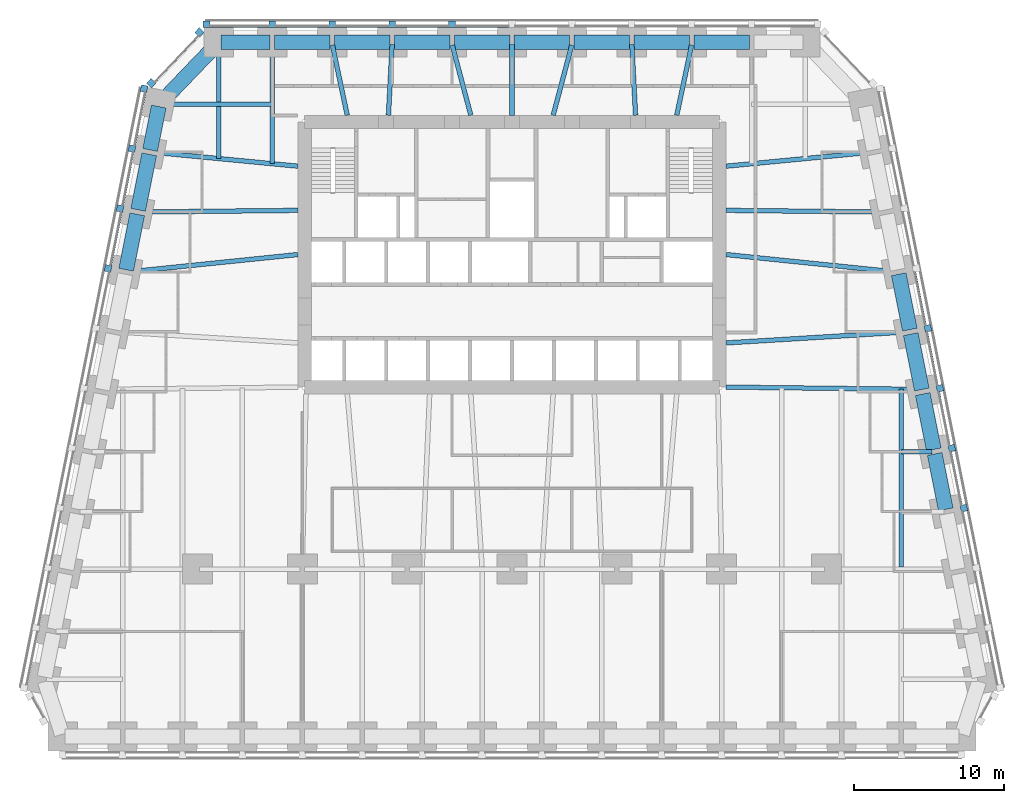
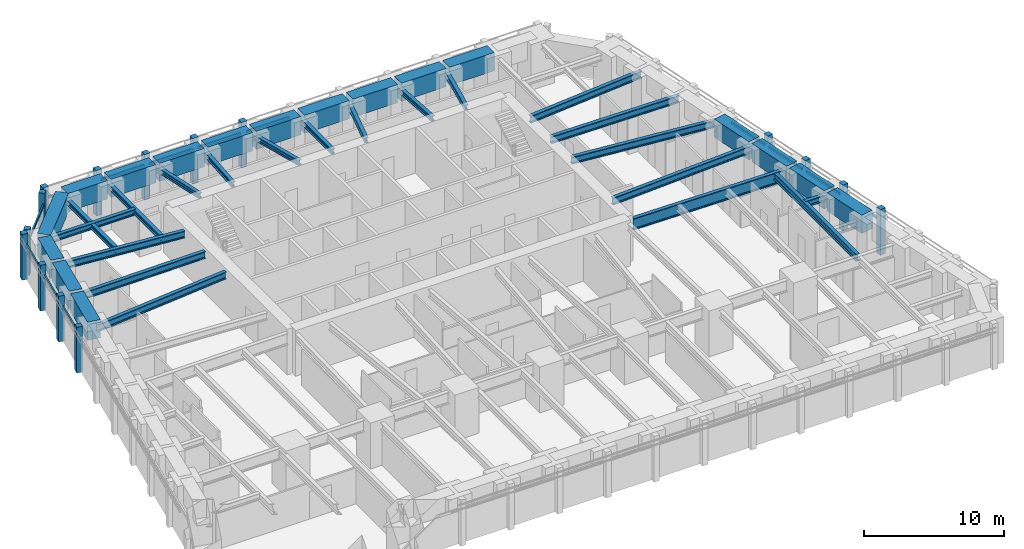
# One storey, part 3 of 10: 37 beams, 28 members, 4 elements without a shape of their own.
"""IFC4 building model written with IfcOpenShell, lengths in metres."""

from ifc_helpers import new_model, si_unit, direction, frame, origin, origin_2d, place, context, subcontext, project, spatial, rectangle, i_section, extrude, material, material_profile, profile_set, type_object, element, aggregate, save


model = new_model("IFC4")

# Units and contexts
model_context = context("Model", 3, precision=1e-05, world=origin(), true_north=direction((0.0, 1.0)))
body_context = subcontext(model_context, "Body", "Model", "MODEL_VIEW")
ifc_project = project(units=[si_unit("LENGTHUNIT", "METRE"), si_unit("AREAUNIT", "SQUARE_METRE"), si_unit("VOLUMEUNIT", "CUBIC_METRE"), si_unit("PLANEANGLEUNIT", "RADIAN"), si_unit("MASSUNIT", "GRAM", prefix="KILO")], contexts=[model_context])

# Site, building, storey
site_placement = place(None, origin())
site = spatial("IfcSite", under=ifc_project, at=site_placement, CompositionType="ELEMENT")
building_placement = place(site_placement, origin())
building = spatial("IfcBuilding", under=site, at=building_placement, Name="Isbrekke Arena Tower", CompositionType="ELEMENT")
storey_placement = place(building_placement, frame((0.0, 0.0, 88.0)))
storey = spatial("IfcBuildingStorey", under=building, at=storey_placement, Name="L19", CompositionType="ELEMENT", Elevation=88.0)

# Beams
ifc_material_1 = material(Name="Steel S355", Category="steel")
ifc_material_profile_1 = material_profile(ifc_material_1, i_section(OverallWidth=0.304931640625, OverallDepth=0.6201171875, WebThickness=0.02099609375, FlangeThickness=0.0400390625, FilletRadius=0.027099609375, at=origin_2d()), Name="HEM 600")
ifc_profile_set_1 = profile_set([ifc_material_profile_1], Name="Steel S355")
beam_type_1 = type_object("IfcBeamType", Name="B4 HEM 600", PredefinedType="BEAM", material=ifc_profile_set_1)
beam_1_placement = place(storey_placement, frame((26.0, -5.84912109375, 3.43994140625), z_axis=(0.0, 1.0, 0.0), x_axis=(-1.0, 0.0, 0.0)))
element("IfcBeam", 1, at=beam_1_placement, inside=storey, type_object=beam_type_1, Name="B4 beam C-M14 L19", PredefinedType="BEAM", context=body_context, shape_type="SweptSolid", body=[
    extrude(i_section(OverallWidth=0.304931640625, OverallDepth=0.6201171875, WebThickness=0.02099609375, FlangeThickness=0.0400390625, FilletRadius=0.027099609375, at=origin_2d()), origin(), (0.0, 0.0, 1.0), 11.864990234375),
])
beam_2_placement = place(storey_placement, frame((26.431884765625, 9.837646484375, 3.43994140625), z_axis=(-0.998157121592, -0.060682457223, 0.0), x_axis=(0.060682457223, -0.998157121592, 0.0)))
element("IfcBeam", 2, at=beam_2_placement, inside=storey, type_object=beam_type_1, Name="B4 beam E-E07 L19", PredefinedType="BEAM", context=body_context, shape_type="SweptSolid", body=[
    extrude(i_section(OverallWidth=0.304931640625, OverallDepth=0.6201171875, WebThickness=0.02099609375, FlangeThickness=0.0400390625, FilletRadius=0.027099609375, at=origin_2d()), origin(), (0.0, 0.0, 1.0), 12.154296875),
])
beam_3_placement = place(storey_placement, frame((25.62548828125, 13.83984375, 3.43994140625), z_axis=(-0.99479415533, 0.10190480127, 0.0), x_axis=(-0.10190480127, -0.99479415533, 0.0)))
element("IfcBeam", 3, at=beam_3_placement, inside=storey, type_object=beam_type_1, Name="B4 beam E-E08 L19", PredefinedType="BEAM", context=body_context, shape_type="SweptSolid", body=[
    extrude(i_section(OverallWidth=0.304931640625, OverallDepth=0.6201171875, WebThickness=0.02099609375, FlangeThickness=0.0400390625, FilletRadius=0.027099609375, at=origin_2d()), origin(), (0.0, 0.0, 1.0), 11.384765625),
])
beam_4_placement = place(storey_placement, frame((24.83935546875, 17.838134765625, 3.43994140625), z_axis=(-0.999943724376, 0.010608868071, 0.0), x_axis=(-0.010608868071, -0.999943724376, 0.0)))
element("IfcBeam", 4, at=beam_4_placement, inside=storey, type_object=beam_type_1, Name="B4 beam E-E09 L19", PredefinedType="BEAM", context=body_context, shape_type="SweptSolid", body=[
    extrude(i_section(OverallWidth=0.304931640625, OverallDepth=0.6201171875, WebThickness=0.02099609375, FlangeThickness=0.0400390625, FilletRadius=0.027099609375, at=origin_2d()), origin(), (0.0, 0.0, 1.0), 10.539794921875),
])
for number, where, z_axis, x_axis, name in (
    (5, (24.0263671875, 21.8369140625, 3.43994140625), (-0.995391571349, -0.095893793791, 0.0), (0.095893793791, -0.995391571349, 0.0), "B4 beam E-E10 L19"),
    (6, (-24.0263671875, 21.8369140625, 3.43994140625), (0.995391571349, -0.095893793791, 0.0), (0.095893793791, 0.995391571349, 0.0), "B4 beam E-W02 L19"),
):
    element("IfcBeam", number, at=place(storey_placement, frame(where, z_axis=z_axis, x_axis=x_axis)), inside=storey, type_object=beam_type_1, Name=name, PredefinedType="BEAM", context=body_context, shape_type="SweptSolid", body=[
        extrude(i_section(OverallWidth=0.304931640625, OverallDepth=0.6201171875, WebThickness=0.02099609375, FlangeThickness=0.0400390625, FilletRadius=0.027099609375, at=origin_2d()), origin(), (0.0, 0.0, 1.0), 9.771240234375),
    ])
beam_5_placement = place(storey_placement, frame((-24.83935546875, 17.838134765625, 3.43994140625), z_axis=(0.999943724376, 0.010608868071, 0.0), x_axis=(-0.010608868071, 0.999943724376, 0.0)))
element("IfcBeam", 7, at=beam_5_placement, inside=storey, type_object=beam_type_1, Name="B4 beam E-W03 L19", PredefinedType="BEAM", context=body_context, shape_type="SweptSolid", body=[
    extrude(i_section(OverallWidth=0.304931640625, OverallDepth=0.6201171875, WebThickness=0.02099609375, FlangeThickness=0.0400390625, FilletRadius=0.027099609375, at=origin_2d()), origin(), (0.0, 0.0, 1.0), 10.539794921875),
])
beam_6_placement = place(storey_placement, frame((-25.62548828125, 13.83984375, 3.43994140625), z_axis=(0.99479415533, 0.10190480127, 0.0), x_axis=(-0.10190480127, 0.99479415533, 0.0)))
element("IfcBeam", 8, at=beam_6_placement, inside=storey, type_object=beam_type_1, Name="B4 beam E-W04 L19", PredefinedType="BEAM", context=body_context, shape_type="SweptSolid", body=[
    extrude(i_section(OverallWidth=0.304931640625, OverallDepth=0.6201171875, WebThickness=0.02099609375, FlangeThickness=0.0400390625, FilletRadius=0.027099609375, at=origin_2d()), origin(), (0.0, 0.0, 1.0), 11.384765625),
])
ifc_material_2 = material(Name="Steel S355", Category="steel")
ifc_material_profile_2 = material_profile(ifc_material_2, i_section(OverallWidth=0.305908203125, OverallDepth=0.52392578125, WebThickness=0.02099609375, FlangeThickness=0.0400390625, FilletRadius=0.027099609375, at=origin_2d()), Name="HEM 500")
ifc_profile_set_2 = profile_set([ifc_material_profile_2], Name="Steel S355")
beam_type_2 = type_object("IfcBeamType", Name="B5 HEM 500", PredefinedType="BEAM", material=ifc_profile_set_2)
beam_7_placement = place(storey_placement, frame((28.041015625, 1.838134765625, 3.488037109375), z_axis=(-1.0, 0.0, 0.0), x_axis=(0.0, -1.0, 0.0)))
element("IfcBeam", 9, at=beam_7_placement, inside=storey, type_object=beam_type_2, Name="B5 beam E-E05 L19", PredefinedType="BEAM", context=body_context, shape_type="SweptSolid", body=[
    extrude(i_section(OverallWidth=0.305908203125, OverallDepth=0.52392578125, WebThickness=0.02099609375, FlangeThickness=0.0400390625, FilletRadius=0.027099609375, at=origin_2d()), origin(), (0.0, 0.0, 1.0), 2.041015625),
])
beam_8_placement = place(storey_placement, frame((-23.40283203125, 25.029296875, 3.488037109375), z_axis=(1.0, 0.0, 0.0), x_axis=(0.0, 1.0, 0.0)))
element("IfcBeam", 10, at=beam_8_placement, inside=storey, type_object=beam_type_2, Name="B5 beam E-W01 L19", PredefinedType="BEAM", context=body_context, shape_type="SweptSolid", body=[
    extrude(i_section(OverallWidth=0.305908203125, OverallDepth=0.52392578125, WebThickness=0.02099609375, FlangeThickness=0.0400390625, FilletRadius=0.027099609375, at=origin_2d()), origin(), (0.0, 0.0, 1.0), 7.40283203125),
])
ifc_material_3 = material(Name="Steel S355", Category="steel")
ifc_material_profile_3 = material_profile(ifc_material_3, i_section(OverallWidth=0.306884765625, OverallDepth=0.431884765625, WebThickness=0.02099609375, FlangeThickness=0.0400390625, FilletRadius=0.027099609375, at=origin_2d()), Name="HEM 400")
ifc_profile_set_3 = profile_set([ifc_material_profile_3], Name="Steel S355")
beam_type_3 = type_object("IfcBeamType", Name="B6 HEM 400", PredefinedType="BEAM", material=ifc_profile_set_3)
beam_9_placement = place(storey_placement, frame((-16.0, 29.02490234375, 3.533935546875), z_axis=(0.0, -1.0, 0.0), x_axis=(1.0, 0.0, 0.0)))
element("IfcBeam", 11, at=beam_9_placement, inside=storey, type_object=beam_type_3, Name="B6 beam N-N10 L19", PredefinedType="BEAM", context=body_context, shape_type="SweptSolid", body=[
    extrude(i_section(OverallWidth=0.306884765625, OverallDepth=0.431884765625, WebThickness=0.02099609375, FlangeThickness=0.0400390625, FilletRadius=0.027099609375, at=origin_2d()), origin(), (0.0, 0.0, 1.0), 7.961181640625),
])
beam_10_placement = place(storey_placement, frame((-19.574951171875, 29.02490234375, 3.533935546875), z_axis=(0.0, -1.0, 0.0), x_axis=(1.0, 0.0, 0.0)))
element("IfcBeam", 12, at=beam_10_placement, inside=storey, type_object=beam_type_3, Name="B6 beam N-N11 L19", PredefinedType="BEAM", context=body_context, shape_type="SweptSolid", body=[
    extrude(i_section(OverallWidth=0.306884765625, OverallDepth=0.431884765625, WebThickness=0.02099609375, FlangeThickness=0.0400390625, FilletRadius=0.027099609375, at=origin_2d()), origin(), (0.0, 0.0, 1.0), 7.616943359375),
])
beam_11_placement = place(storey_placement, frame((11.993408203125, 28.993896484375, 3.533935546875), z_axis=(-0.207054129185, -0.978329488254, 0.0), x_axis=(0.978329488254, -0.207054129185, 0.0)))
element("IfcBeam", 13, at=beam_11_placement, inside=storey, type_object=beam_type_3, Name="B6 beam N-N03 L19", PredefinedType="BEAM", context=body_context, shape_type="SweptSolid", body=[
    extrude(i_section(OverallWidth=0.306884765625, OverallDepth=0.431884765625, WebThickness=0.02099609375, FlangeThickness=0.0400390625, FilletRadius=0.027099609375, at=origin_2d()), origin(), (0.0, 0.0, 1.0), 4.7978515625),
])
beam_12_placement = place(storey_placement, frame((8.00048828125, 29.016845703125, 3.533935546875), z_axis=(0.05282469383, -0.998603801175, 0.0), x_axis=(0.998603801175, 0.05282469383, 0.0)))
element("IfcBeam", 14, at=beam_12_placement, inside=storey, type_object=beam_type_3, Name="B6 beam N-N04 L19", PredefinedType="BEAM", context=body_context, shape_type="SweptSolid", body=[
    extrude(i_section(OverallWidth=0.306884765625, OverallDepth=0.431884765625, WebThickness=0.02099609375, FlangeThickness=0.0400390625, FilletRadius=0.027099609375, at=origin_2d()), origin(), (0.0, 0.0, 1.0), 4.723388671875),
])
beam_13_placement = place(storey_placement, frame((3.989990234375, 28.987060546875, 3.533935546875), z_axis=(-0.255759685638, -0.966740390799, 0.0), x_axis=(0.966740390799, -0.255759685638, 0.0)))
element("IfcBeam", 15, at=beam_13_placement, inside=storey, type_object=beam_type_3, Name="B6 beam N-N05 L19", PredefinedType="BEAM", context=body_context, shape_type="SweptSolid", body=[
    extrude(i_section(OverallWidth=0.306884765625, OverallDepth=0.431884765625, WebThickness=0.02099609375, FlangeThickness=0.0400390625, FilletRadius=0.027099609375, at=origin_2d()), origin(), (0.0, 0.0, 1.0), 4.84814453125),
])
beam_14_placement = place(storey_placement, frame((0.0, 29.02490234375, 3.533935546875), z_axis=(0.0, -1.0, 0.0), x_axis=(1.0, 0.0, 0.0)))
element("IfcBeam", 16, at=beam_14_placement, inside=storey, type_object=beam_type_3, Name="B6 beam N-N06 L19", PredefinedType="BEAM", context=body_context, shape_type="SweptSolid", body=[
    extrude(i_section(OverallWidth=0.306884765625, OverallDepth=0.431884765625, WebThickness=0.02099609375, FlangeThickness=0.0400390625, FilletRadius=0.027099609375, at=origin_2d()), origin(), (0.0, 0.0, 1.0), 4.724853515625),
])
beam_15_placement = place(storey_placement, frame((-3.989990234375, 28.987060546875, 3.533935546875), z_axis=(0.255759685638, -0.966740390799, 0.0), x_axis=(0.966740390799, 0.255759685638, 0.0)))
element("IfcBeam", 17, at=beam_15_placement, inside=storey, type_object=beam_type_3, Name="B6 beam N-N07 L19", PredefinedType="BEAM", context=body_context, shape_type="SweptSolid", body=[
    extrude(i_section(OverallWidth=0.306884765625, OverallDepth=0.431884765625, WebThickness=0.02099609375, FlangeThickness=0.0400390625, FilletRadius=0.027099609375, at=origin_2d()), origin(), (0.0, 0.0, 1.0), 4.84814453125),
])
beam_16_placement = place(storey_placement, frame((-8.00048828125, 29.016845703125, 3.533935546875), z_axis=(-0.05282469383, -0.998603801175, 0.0), x_axis=(0.998603801175, -0.05282469383, 0.0)))
element("IfcBeam", 18, at=beam_16_placement, inside=storey, type_object=beam_type_3, Name="B6 beam N-N08 L19", PredefinedType="BEAM", context=body_context, shape_type="SweptSolid", body=[
    extrude(i_section(OverallWidth=0.306884765625, OverallDepth=0.431884765625, WebThickness=0.02099609375, FlangeThickness=0.0400390625, FilletRadius=0.027099609375, at=origin_2d()), origin(), (0.0, 0.0, 1.0), 4.723388671875),
])
beam_17_placement = place(storey_placement, frame((-11.993408203125, 28.993896484375, 3.533935546875), z_axis=(0.207054129185, -0.978329488254, 0.0), x_axis=(0.978329488254, 0.207054129185, 0.0)))
element("IfcBeam", 19, at=beam_17_placement, inside=storey, type_object=beam_type_3, Name="B6 beam N-N09 L19", PredefinedType="BEAM", context=body_context, shape_type="SweptSolid", body=[
    extrude(i_section(OverallWidth=0.306884765625, OverallDepth=0.431884765625, WebThickness=0.02099609375, FlangeThickness=0.0400390625, FilletRadius=0.027099609375, at=origin_2d()), origin(), (0.0, 0.0, 1.0), 4.7978515625),
])

# Curtain wall, members
ifc_material_4 = material(Name="Glazed aluminium curtain wall", Category="aluminium")
curtain_wall_type = type_object("IfcCurtainWallType", Name="CWL TOWER CURTAIN WALL LOW ZONE", PredefinedType="USERDEFINED", material=ifc_material_4)
curtain_wall_1_placement = place(storey_placement, origin())
curtain_wall_1 = element("IfcCurtainWall", 20, at=curtain_wall_1_placement, inside=storey, type_object=curtain_wall_type, Name="CWL curtain wall L19-E", ObjectType="TOWER CURTAIN WALL LOW ZONE", PredefinedType="USERDEFINED")
ifc_material_5 = material(Name="Aluminium mullion, pale brick slip cladding", Category="masonry")
ifc_material_profile_4 = material_profile(ifc_material_5, rectangle(XDim=0.449951171875, YDim=0.449951171875, at=origin_2d()), Name="PIER 450X450")
ifc_profile_set_4 = profile_set([ifc_material_profile_4], Name="Aluminium mullion, pale brick slip cladding")
member_type_1 = type_object("IfcMemberType", Name="CWL-M PIER MULLION 450 x 450", PredefinedType="MULLION", material=ifc_profile_set_4)
member_1_placement = place(storey_placement, frame((30.167724609375, -1.926513671875, 0.0), z_axis=(0.0, 0.0, 1.0), x_axis=(-0.196116135138, 0.980580675691, 0.0)))
member_1 = element("IfcMember", 21, at=member_1_placement, type_object=member_type_1, Name="CWL-M mullion 4", PredefinedType="MULLION", context=body_context, shape_type="SweptSolid", body=[
    extrude(rectangle(XDim=0.449951171875, YDim=0.449951171875, at=origin_2d()), origin(), (0.0, 0.0, 1.0), 4.0),
])
member_2_placement = place(storey_placement, frame((29.36767578125, 2.073486328125, 0.0), z_axis=(0.0, 0.0, 1.0), x_axis=(-0.196116135138, 0.980580675691, 0.0)))
member_2 = element("IfcMember", 22, at=member_2_placement, type_object=member_type_1, Name="CWL-M mullion 5", PredefinedType="MULLION", context=body_context, shape_type="SweptSolid", body=[
    extrude(rectangle(XDim=0.449951171875, YDim=0.449951171875, at=origin_2d()), origin(), (0.0, 0.0, 1.0), 4.0),
])
member_3_placement = place(storey_placement, frame((28.567626953125, 6.073486328125, 0.0), z_axis=(0.0, 0.0, 1.0), x_axis=(-0.196116135138, 0.980580675691, 0.0)))
member_3 = element("IfcMember", 23, at=member_3_placement, type_object=member_type_1, Name="CWL-M mullion 6", PredefinedType="MULLION", context=body_context, shape_type="SweptSolid", body=[
    extrude(rectangle(XDim=0.449951171875, YDim=0.449951171875, at=origin_2d()), origin(), (0.0, 0.0, 1.0), 4.0),
])
member_4_placement = place(storey_placement, frame((27.767822265625, 10.073486328125, 0.0), z_axis=(0.0, 0.0, 1.0), x_axis=(-0.196116135138, 0.980580675691, 0.0)))
member_4 = element("IfcMember", 24, at=member_4_placement, type_object=member_type_1, Name="CWL-M mullion 7", PredefinedType="MULLION", context=body_context, shape_type="SweptSolid", body=[
    extrude(rectangle(XDim=0.449951171875, YDim=0.449951171875, at=origin_2d()), origin(), (0.0, 0.0, 1.0), 4.0),
])

curtain_wall_2_placement = place(storey_placement, origin())
curtain_wall_2 = element("IfcCurtainWall", 25, at=curtain_wall_2_placement, inside=storey, type_object=curtain_wall_type, Name="CWL curtain wall L19-N", ObjectType="TOWER CURTAIN WALL LOW ZONE", PredefinedType="USERDEFINED")
member_5_placement = place(storey_placement, frame((-4.0, 30.375, 0.0), z_axis=(0.0, 0.0, 1.0), x_axis=(-1.0, 0.0, 0.0)))
member_5 = element("IfcMember", 26, at=member_5_placement, type_object=member_type_1, Name="CWL-M mullion 7", PredefinedType="MULLION", context=body_context, shape_type="SweptSolid", body=[
    extrude(rectangle(XDim=0.449951171875, YDim=0.449951171875, at=origin_2d()), origin(), (0.0, 0.0, 1.0), 4.0),
])
member_6_placement = place(storey_placement, frame((-8.0, 30.375, 0.0), z_axis=(0.0, 0.0, 1.0), x_axis=(-1.0, 0.0, 0.0)))
member_6 = element("IfcMember", 27, at=member_6_placement, type_object=member_type_1, Name="CWL-M mullion 8", PredefinedType="MULLION", context=body_context, shape_type="SweptSolid", body=[
    extrude(rectangle(XDim=0.449951171875, YDim=0.449951171875, at=origin_2d()), origin(), (0.0, 0.0, 1.0), 4.0),
])
member_7_placement = place(storey_placement, frame((-12.0, 30.375, 0.0), z_axis=(0.0, 0.0, 1.0), x_axis=(-1.0, 0.0, 0.0)))
member_7 = element("IfcMember", 28, at=member_7_placement, type_object=member_type_1, Name="CWL-M mullion 9", PredefinedType="MULLION", context=body_context, shape_type="SweptSolid", body=[
    extrude(rectangle(XDim=0.449951171875, YDim=0.449951171875, at=origin_2d()), origin(), (0.0, 0.0, 1.0), 4.0),
])
member_8_placement = place(storey_placement, frame((-16.0, 30.375, 0.0), z_axis=(0.0, 0.0, 1.0), x_axis=(-1.0, 0.0, 0.0)))
member_8 = element("IfcMember", 29, at=member_8_placement, type_object=member_type_1, Name="CWL-M mullion 10", PredefinedType="MULLION", context=body_context, shape_type="SweptSolid", body=[
    extrude(rectangle(XDim=0.449951171875, YDim=0.449951171875, at=origin_2d()), origin(), (0.0, 0.0, 1.0), 4.0),
])
member_9_placement = place(storey_placement, frame((-20.39990234375, 30.375, 0.0), z_axis=(0.0, 0.0, 1.0), x_axis=(-1.0, 0.0, 0.0)))
member_9 = element("IfcMember", 30, at=member_9_placement, type_object=member_type_1, Name="CWL-M mullion 11", PredefinedType="MULLION", context=body_context, shape_type="SweptSolid", body=[
    extrude(rectangle(XDim=0.449951171875, YDim=0.449951171875, at=origin_2d()), origin(), (0.0, 0.0, 1.0), 4.0),
])

curtain_wall_3_placement = place(storey_placement, origin())
curtain_wall_3 = element("IfcCurtainWall", 31, at=curtain_wall_3_placement, inside=storey, type_object=curtain_wall_type, Name="CWL curtain wall L19-NW", ObjectType="TOWER CURTAIN WALL LOW ZONE", PredefinedType="USERDEFINED")
member_10_placement = place(storey_placement, frame((-20.86572265625, 29.83642578125, 0.0), z_axis=(0.0, 0.0, 1.0), x_axis=(-0.68874946192, -0.72499943359, 0.0)))
member_10 = element("IfcMember", 32, at=member_10_placement, type_object=member_type_1, Name="CWL-M mullion 1", PredefinedType="MULLION", context=body_context, shape_type="SweptSolid", body=[
    extrude(rectangle(XDim=0.449951171875, YDim=0.449951171875, at=origin_2d()), origin(), (0.0, 0.0, 1.0), 4.0),
])
member_11_placement = place(storey_placement, frame((-24.087890625, 26.44482421875, 0.0), z_axis=(0.0, 0.0, 1.0), x_axis=(-0.68874946192, -0.72499943359, 0.0)))
member_11 = element("IfcMember", 33, at=member_11_placement, type_object=member_type_1, Name="CWL-M mullion 2", PredefinedType="MULLION", context=body_context, shape_type="SweptSolid", body=[
    extrude(rectangle(XDim=0.449951171875, YDim=0.449951171875, at=origin_2d()), origin(), (0.0, 0.0, 1.0), 4.0),
])

curtain_wall_4_placement = place(storey_placement, origin())
curtain_wall_4 = element("IfcCurtainWall", 34, at=curtain_wall_4_placement, inside=storey, type_object=curtain_wall_type, Name="CWL curtain wall L19-W", ObjectType="TOWER CURTAIN WALL LOW ZONE", PredefinedType="USERDEFINED")
member_12_placement = place(storey_placement, frame((-24.567626953125, 26.073486328125, 0.0), z_axis=(0.0, 0.0, 1.0), x_axis=(-0.196116135138, -0.980580675691, 0.0)))
member_12 = element("IfcMember", 35, at=member_12_placement, type_object=member_type_1, Name="CWL-M mullion 1", PredefinedType="MULLION", context=body_context, shape_type="SweptSolid", body=[
    extrude(rectangle(XDim=0.449951171875, YDim=0.449951171875, at=origin_2d()), origin(), (0.0, 0.0, 1.0), 4.0),
])
member_13_placement = place(storey_placement, frame((-25.36767578125, 22.073486328125, 0.0), z_axis=(0.0, 0.0, 1.0), x_axis=(-0.196116135138, -0.980580675691, 0.0)))
member_13 = element("IfcMember", 36, at=member_13_placement, type_object=member_type_1, Name="CWL-M mullion 2", PredefinedType="MULLION", context=body_context, shape_type="SweptSolid", body=[
    extrude(rectangle(XDim=0.449951171875, YDim=0.449951171875, at=origin_2d()), origin(), (0.0, 0.0, 1.0), 4.0),
])
member_14_placement = place(storey_placement, frame((-26.167724609375, 18.073486328125, 0.0), z_axis=(0.0, 0.0, 1.0), x_axis=(-0.196116135138, -0.980580675691, 0.0)))
member_14 = element("IfcMember", 37, at=member_14_placement, type_object=member_type_1, Name="CWL-M mullion 3", PredefinedType="MULLION", context=body_context, shape_type="SweptSolid", body=[
    extrude(rectangle(XDim=0.449951171875, YDim=0.449951171875, at=origin_2d()), origin(), (0.0, 0.0, 1.0), 4.0),
])
member_15_placement = place(storey_placement, frame((-26.9677734375, 14.073486328125, 0.0), z_axis=(0.0, 0.0, 1.0), x_axis=(-0.196116135138, -0.980580675691, 0.0)))
member_15 = element("IfcMember", 38, at=member_15_placement, type_object=member_type_1, Name="CWL-M mullion 4", PredefinedType="MULLION", context=body_context, shape_type="SweptSolid", body=[
    extrude(rectangle(XDim=0.449951171875, YDim=0.449951171875, at=origin_2d()), origin(), (0.0, 0.0, 1.0), 4.0),
])

# Member
ifc_material_6 = material(Name="Aluminium transom", Category="aluminium")
ifc_material_profile_5 = material_profile(ifc_material_6, rectangle(XDim=0.1201171875, YDim=0.199951171875, at=origin_2d()), Name="TRANSOM 120X200")
ifc_profile_set_5 = profile_set([ifc_material_profile_5], Name="Aluminium transom")
member_type_2 = type_object("IfcMemberType", Name="CWL-T TRANSOM 120 x 200", PredefinedType="USERDEFINED", material=ifc_profile_set_5)
member_16_placement = place(storey_placement, frame((30.0009765625, -1.730224609375, 3.0), z_axis=(-0.196103197847, 0.98058326306, 0.0), x_axis=(-0.98058326306, -0.196103197847, 0.0)))
member_16 = element("IfcMember", 39, at=member_16_placement, type_object=member_type_2, Name="CWL-T transom 4", ObjectType="TRANSOM", PredefinedType="USERDEFINED", context=body_context, shape_type="SweptSolid", body=[
    extrude(rectangle(XDim=0.1201171875, YDim=0.199951171875, at=origin_2d()), origin(), (0.0, 0.0, 1.0), 3.629150390625),
])

member_17_placement = place(storey_placement, frame((29.200927734375, 2.269775390625, 3.0), z_axis=(-0.196103197847, 0.98058326306, 0.0), x_axis=(-0.98058326306, -0.196103197847, 0.0)))
member_17 = element("IfcMember", 40, at=member_17_placement, type_object=member_type_2, Name="CWL-T transom 5", ObjectType="TRANSOM", PredefinedType="USERDEFINED", context=body_context, shape_type="SweptSolid", body=[
    extrude(rectangle(XDim=0.1201171875, YDim=0.199951171875, at=origin_2d()), origin(), (0.0, 0.0, 1.0), 3.629150390625),
])

member_18_placement = place(storey_placement, frame((28.401123046875, 6.269775390625, 3.0), z_axis=(-0.196167883278, 0.980570324643, 0.0), x_axis=(-0.980570324643, -0.196167883278, 0.0)))
member_18 = element("IfcMember", 41, at=member_18_placement, type_object=member_type_2, Name="CWL-T transom 6", ObjectType="TRANSOM", PredefinedType="USERDEFINED", context=body_context, shape_type="SweptSolid", body=[
    extrude(rectangle(XDim=0.1201171875, YDim=0.199951171875, at=origin_2d()), origin(), (0.0, 0.0, 1.0), 3.629150390625),
])

member_19_placement = place(storey_placement, frame((27.60107421875, 10.269775390625, 3.0), z_axis=(-0.196167883278, 0.980570324643, 0.0), x_axis=(-0.980570324643, -0.196167883278, 0.0)))
member_19 = element("IfcMember", 42, at=member_19_placement, type_object=member_type_2, Name="CWL-T transom 7", ObjectType="TRANSOM", PredefinedType="USERDEFINED", context=body_context, shape_type="SweptSolid", body=[
    extrude(rectangle(XDim=0.1201171875, YDim=0.199951171875, at=origin_2d()), origin(), (0.0, 0.0, 1.0), 3.629150390625),
])

aggregate(curtain_wall_1, [member_1, member_2, member_3, member_4, member_16, member_17, member_18, member_19])

member_20_placement = place(storey_placement, frame((-0.22509765625, 30.25, 3.0), z_axis=(-1.0, 0.0, 0.0), x_axis=(0.0, -1.0, 0.0)))
member_20 = element("IfcMember", 43, at=member_20_placement, type_object=member_type_2, Name="CWL-T transom 6", ObjectType="TRANSOM", PredefinedType="USERDEFINED", context=body_context, shape_type="SweptSolid", body=[
    extrude(rectangle(XDim=0.1201171875, YDim=0.199951171875, at=origin_2d()), origin(), (0.0, 0.0, 1.0), 3.5498046875),
])

member_21_placement = place(storey_placement, frame((-4.22509765625, 30.25, 3.0), z_axis=(-1.0, 0.0, 0.0), x_axis=(0.0, -1.0, 0.0)))
member_21 = element("IfcMember", 44, at=member_21_placement, type_object=member_type_2, Name="CWL-T transom 7", ObjectType="TRANSOM", PredefinedType="USERDEFINED", context=body_context, shape_type="SweptSolid", body=[
    extrude(rectangle(XDim=0.1201171875, YDim=0.199951171875, at=origin_2d()), origin(), (0.0, 0.0, 1.0), 3.5498046875),
])

member_22_placement = place(storey_placement, frame((-8.22509765625, 30.25, 3.0), z_axis=(-1.0, 0.0, 0.0), x_axis=(0.0, -1.0, 0.0)))
member_22 = element("IfcMember", 45, at=member_22_placement, type_object=member_type_2, Name="CWL-T transom 8", ObjectType="TRANSOM", PredefinedType="USERDEFINED", context=body_context, shape_type="SweptSolid", body=[
    extrude(rectangle(XDim=0.1201171875, YDim=0.199951171875, at=origin_2d()), origin(), (0.0, 0.0, 1.0), 3.5498046875),
])

member_23_placement = place(storey_placement, frame((-12.22509765625, 30.25, 3.0), z_axis=(-1.0, 0.0, 0.0), x_axis=(0.0, -1.0, 0.0)))
member_23 = element("IfcMember", 46, at=member_23_placement, type_object=member_type_2, Name="CWL-T transom 9", ObjectType="TRANSOM", PredefinedType="USERDEFINED", context=body_context, shape_type="SweptSolid", body=[
    extrude(rectangle(XDim=0.1201171875, YDim=0.199951171875, at=origin_2d()), origin(), (0.0, 0.0, 1.0), 3.5498046875),
])

member_24_placement = place(storey_placement, frame((-16.22509765625, 30.25, 3.0), z_axis=(-1.0, 0.0, 0.0), x_axis=(0.0, -1.0, 0.0)))
member_24 = element("IfcMember", 47, at=member_24_placement, type_object=member_type_2, Name="CWL-T transom 10", ObjectType="TRANSOM", PredefinedType="USERDEFINED", context=body_context, shape_type="SweptSolid", body=[
    extrude(rectangle(XDim=0.1201171875, YDim=0.199951171875, at=origin_2d()), origin(), (0.0, 0.0, 1.0), 3.949951171875),
])

aggregate(curtain_wall_2, [member_5, member_6, member_7, member_8, member_9, member_20, member_21, member_22, member_23, member_24])

member_25_placement = place(storey_placement, frame((-20.93017578125, 29.587158203125, 3.0), z_axis=(-0.6887433918, -0.725005200155, 0.0), x_axis=(0.725005200155, -0.6887433918, 0.0)))
member_25 = element("IfcMember", 48, at=member_25_placement, type_object=member_type_2, Name="CWL-T transom 1", ObjectType="TRANSOM", PredefinedType="USERDEFINED", context=body_context, shape_type="SweptSolid", body=[
    extrude(rectangle(XDim=0.1201171875, YDim=0.199951171875, at=origin_2d()), origin(), (0.0, 0.0, 1.0), 4.22802734375),
])

aggregate(curtain_wall_3, [member_10, member_11, member_25])

member_26_placement = place(storey_placement, frame((-24.4892578125, 25.828369140625, 3.0), z_axis=(-0.196103197847, -0.98058326306, 0.0), x_axis=(0.98058326306, -0.196103197847, 0.0)))
member_26 = element("IfcMember", 49, at=member_26_placement, type_object=member_type_2, Name="CWL-T transom 1", ObjectType="TRANSOM", PredefinedType="USERDEFINED", context=body_context, shape_type="SweptSolid", body=[
    extrude(rectangle(XDim=0.1201171875, YDim=0.199951171875, at=origin_2d()), origin(), (0.0, 0.0, 1.0), 3.629150390625),
])

member_27_placement = place(storey_placement, frame((-25.289306640625, 21.828369140625, 3.0), z_axis=(-0.196103197847, -0.98058326306, 0.0), x_axis=(0.98058326306, -0.196103197847, 0.0)))
member_27 = element("IfcMember", 50, at=member_27_placement, type_object=member_type_2, Name="CWL-T transom 2", ObjectType="TRANSOM", PredefinedType="USERDEFINED", context=body_context, shape_type="SweptSolid", body=[
    extrude(rectangle(XDim=0.1201171875, YDim=0.199951171875, at=origin_2d()), origin(), (0.0, 0.0, 1.0), 3.629150390625),
])

member_28_placement = place(storey_placement, frame((-26.08935546875, 17.828369140625, 3.0), z_axis=(-0.196103197847, -0.98058326306, 0.0), x_axis=(0.98058326306, -0.196103197847, 0.0)))
member_28 = element("IfcMember", 51, at=member_28_placement, type_object=member_type_2, Name="CWL-T transom 3", ObjectType="TRANSOM", PredefinedType="USERDEFINED", context=body_context, shape_type="SweptSolid", body=[
    extrude(rectangle(XDim=0.1201171875, YDim=0.199951171875, at=origin_2d()), origin(), (0.0, 0.0, 1.0), 3.629150390625),
])

aggregate(curtain_wall_4, [member_12, member_13, member_14, member_15, member_26, member_27, member_28])

# Beams
ifc_material_7 = material(Name="Steel S355", Category="steel")
ifc_material_profile_6 = material_profile(ifc_material_7, i_section(OverallWidth=0.302001953125, OverallDepth=1.008056640625, WebThickness=0.02099609375, FlangeThickness=0.0400390625, FilletRadius=0.030029296875, at=origin_2d()), Name="HEM 1000")
ifc_profile_set_6 = profile_set([ifc_material_profile_6], Name="Steel S355")
beam_type_4 = type_object("IfcBeamType", Name="G2 HEM 1000", PredefinedType="BEAM", material=ifc_profile_set_6)
beam_18_placement = place(storey_placement, frame((14.300048828125, 6.14990234375, 3.24609375), z_axis=(0.999934429634, -0.011451481699, 0.0), x_axis=(0.011451481699, 0.999934429634, 0.0)))
element("IfcBeam", 52, at=beam_18_placement, inside=storey, type_object=beam_type_4, Name="G2 beam G2-E L19", PredefinedType="BEAM", context=body_context, shape_type="SweptSolid", body=[
    extrude(i_section(OverallWidth=0.302001953125, OverallDepth=1.008056640625, WebThickness=0.02099609375, FlangeThickness=0.0400390625, FilletRadius=0.030029296875, at=origin_2d()), origin(), (0.0, 0.0, 1.0), 13.09033203125),
])
ifc_material_8 = material(Name="Concrete B90 (C90/105)", Category="concrete")
ifc_material_profile_7 = material_profile(ifc_material_8, rectangle(XDim=1.0, YDim=1.60009765625, at=origin_2d()), Name="RC 1000x1600")
ifc_profile_set_7 = profile_set([ifc_material_profile_7], Name="Concrete B90 (C90/105)")
beam_type_5 = type_object("IfcBeamType", Name="SB1 RC 1000 x 1600", PredefinedType="SPANDREL", material=ifc_profile_set_7)
for number, where, z_axis, x_axis, name in (
    (53, (28.961669921875, -2.0146484375, 3.199951171875), (-0.196128558387, 0.980578190959, 0.0), (-0.980578190959, -0.196128558387, 0.0), "SB1 spandrel E04-E05 L19"),
    (54, (28.16162109375, 1.9853515625, 3.199951171875), (-0.196128558387, 0.980578190959, 0.0), (-0.980578190959, -0.196128558387, 0.0), "SB1 spandrel E05-E06 L19"),
    (55, (27.361572265625, 5.9853515625, 3.199951171875), (-0.196128558387, 0.980578190959, 0.0), (-0.980578190959, -0.196128558387, 0.0), "SB1 spandrel E06-E07 L19"),
):
    element("IfcBeam", number, at=place(storey_placement, frame(where, z_axis=z_axis, x_axis=x_axis)), inside=storey, type_object=beam_type_5, Name=name, PredefinedType="SPANDREL", context=body_context, shape_type="SweptSolid", body=[
        extrude(rectangle(XDim=1.0, YDim=1.60009765625, at=origin_2d()), origin(), (0.0, 0.0, 1.0), 3.779296875),
    ])
beam_19_placement = place(storey_placement, frame((26.5615234375, 9.9853515625, 3.199951171875), z_axis=(-0.1960664412, 0.980590613169, 0.0), x_axis=(-0.980590613169, -0.1960664412, 0.0)))
element("IfcBeam", 56, at=beam_19_placement, inside=storey, type_object=beam_type_5, Name="SB1 spandrel E07-E08 L19", PredefinedType="SPANDREL", context=body_context, shape_type="SweptSolid", body=[
    extrude(rectangle(XDim=1.0, YDim=1.60009765625, at=origin_2d()), origin(), (0.0, 0.0, 1.0), 3.779052734375),
])
for number, where, z_axis, x_axis, name in (
    (57, (15.85009765625, 29.175048828125, 3.199951171875), (-1.0, 0.0, 0.0), (0.0, -1.0, 0.0), "SB1 spandrel N02-N03 L19"),
    (58, (11.85009765625, 29.175048828125, 3.199951171875), (-1.0, 0.0, 0.0), (0.0, -1.0, 0.0), "SB1 spandrel N03-N04 L19"),
    (59, (7.85009765625, 29.175048828125, 3.199951171875), (-1.0, 0.0, 0.0), (0.0, -1.0, 0.0), "SB1 spandrel N04-N05 L19"),
    (60, (3.85009765625, 29.175048828125, 3.199951171875), (-1.0, 0.0, 0.0), (0.0, -1.0, 0.0), "SB1 spandrel N05-N06 L19"),
    (61, (-0.14990234375, 29.175048828125, 3.199951171875), (-1.0, 0.0, 0.0), (0.0, -1.0, 0.0), "SB1 spandrel N06-N07 L19"),
    (62, (-4.14990234375, 29.175048828125, 3.199951171875), (-1.0, 0.0, 0.0), (0.0, -1.0, 0.0), "SB1 spandrel N07-N08 L19"),
    (63, (-8.14990234375, 29.175048828125, 3.199951171875), (-1.0, 0.0, 0.0), (0.0, -1.0, 0.0), "SB1 spandrel N08-N09 L19"),
    (64, (-12.14990234375, 29.175048828125, 3.199951171875), (-1.0, 0.0, 0.0), (0.0, -1.0, 0.0), "SB1 spandrel N09-N10 L19"),
):
    element("IfcBeam", number, at=place(storey_placement, frame(where, z_axis=z_axis, x_axis=x_axis)), inside=storey, type_object=beam_type_5, Name=name, PredefinedType="SPANDREL", context=body_context, shape_type="SweptSolid", body=[
        extrude(rectangle(XDim=1.0, YDim=1.60009765625, at=origin_2d()), origin(), (0.0, 0.0, 1.0), 3.7001953125),
    ])
beam_20_placement = place(storey_placement, frame((-16.14990234375, 29.175048828125, 3.199951171875), z_axis=(-1.0, 0.0, 0.0), x_axis=(0.0, -1.0, 0.0)))
element("IfcBeam", 65, at=beam_20_placement, inside=storey, type_object=beam_type_5, Name="SB1 spandrel N10-N11 L19", PredefinedType="SPANDREL", context=body_context, shape_type="SweptSolid", body=[
    extrude(rectangle(XDim=1.0, YDim=1.60009765625, at=origin_2d()), origin(), (0.0, 0.0, 1.0), 3.275146484375),
])
beam_21_placement = place(storey_placement, frame((-19.678955078125, 29.066650390625, 3.199951171875), z_axis=(-0.692339547635, -0.721571861134, 0.0), x_axis=(0.721571861134, -0.692339547635, 0.0)))
element("IfcBeam", 66, at=beam_21_placement, inside=storey, type_object=beam_type_5, Name="SB1 spandrel N11-W01 L19", PredefinedType="SPANDREL", context=body_context, shape_type="SweptSolid", body=[
    extrude(rectangle(XDim=1.0, YDim=1.60009765625, at=origin_2d()), origin(), (0.0, 0.0, 1.0), 5.4453125),
])
beam_22_placement = place(storey_placement, frame((-23.582275390625, 24.882080078125, 3.199951171875), z_axis=(-0.196116135138, -0.980580675691, 0.0), x_axis=(0.980580675691, -0.196116135138, 0.0)))
element("IfcBeam", 67, at=beam_22_placement, inside=storey, type_object=beam_type_5, Name="SB1 spandrel W01-W02 L19", PredefinedType="SPANDREL", context=body_context, shape_type="SweptSolid", body=[
    extrude(rectangle(XDim=1.0, YDim=1.60009765625, at=origin_2d()), origin(), (0.0, 0.0, 1.0), 2.9541015625),
])
for number, where, z_axis, x_axis, name in (
    (68, (-24.220458984375, 21.691162109375, 3.199951171875), (-0.196128558387, -0.980578190959, 0.0), (0.980578190959, -0.196128558387, 0.0), "SB1 spandrel W02-W03 L19"),
    (69, (-25.0205078125, 17.691162109375, 3.199951171875), (-0.196128558387, -0.980578190959, 0.0), (0.980578190959, -0.196128558387, 0.0), "SB1 spandrel W03-W04 L19"),
):
    element("IfcBeam", number, at=place(storey_placement, frame(where, z_axis=z_axis, x_axis=x_axis)), inside=storey, type_object=beam_type_5, Name=name, PredefinedType="SPANDREL", context=body_context, shape_type="SweptSolid", body=[
        extrude(rectangle(XDim=1.0, YDim=1.60009765625, at=origin_2d()), origin(), (0.0, 0.0, 1.0), 3.779296875),
    ])

save(model, "model.ifc")
